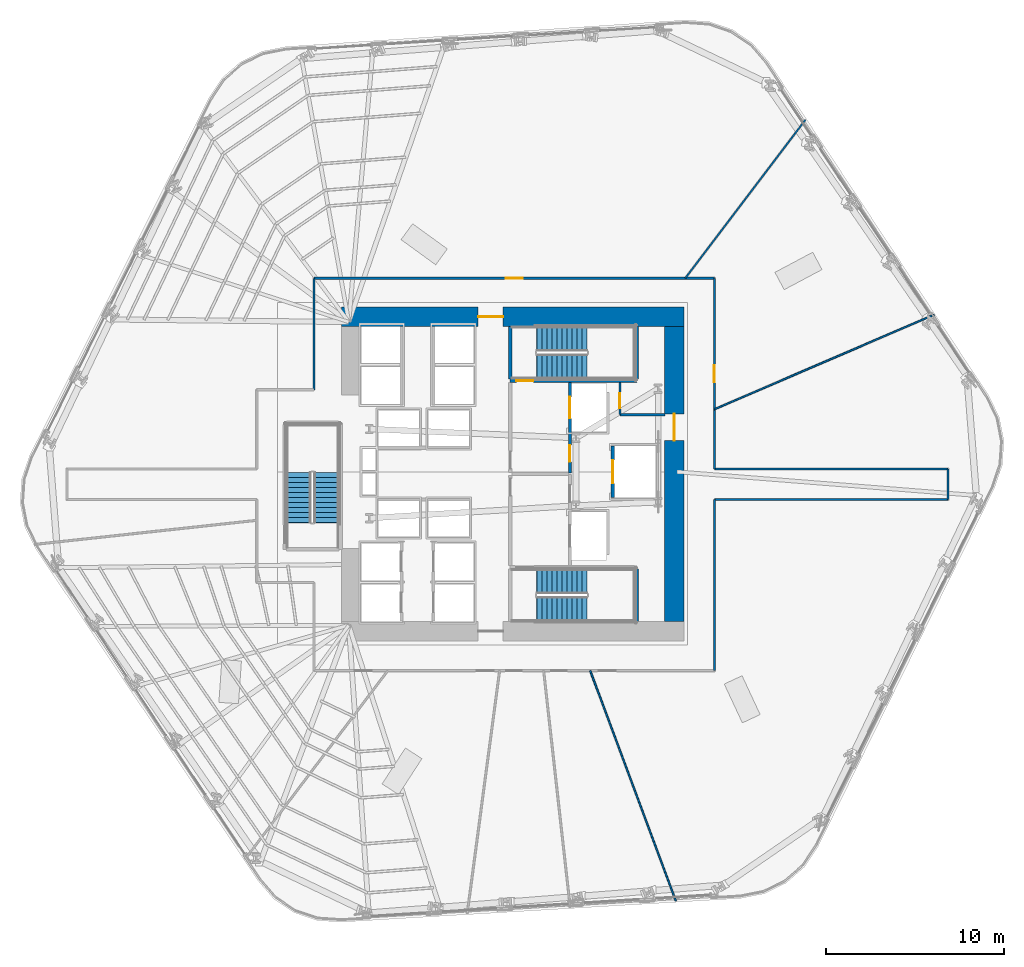
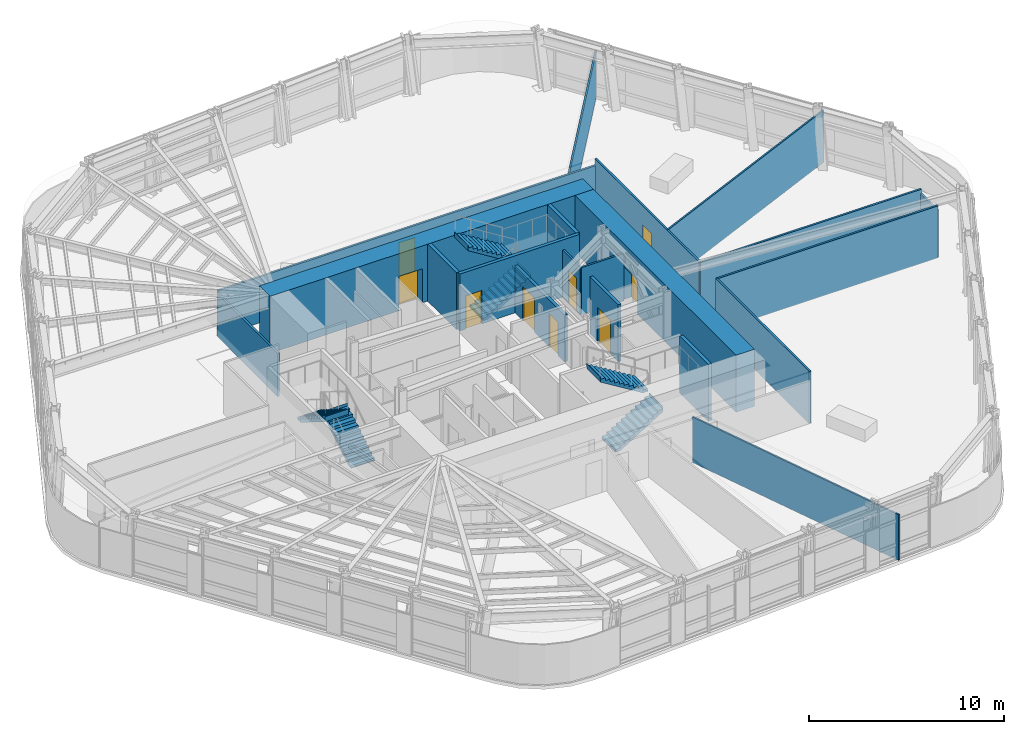
# One storey, part 9 of 15: 20 walls, 9 doors, 6 stair flights, 9 openings, 3 elements without a shape of their own.
"""IFC4 building model written with IfcOpenShell, lengths in metres."""

from ifc_helpers import new_model, si_unit, direction, frame, frame_2d, origin, place, context, subcontext, project, spatial, polyline, rectangle, outline, extrude, material, layer, layer_set, type_object, element, fill, aggregate, save


model = new_model("IFC4")

# Units and contexts
model_context = context("Model", 3, precision=1e-05, world=origin(), true_north=direction((0.0, 1.0)))
body_context = subcontext(model_context, "Body", "Model", "MODEL_VIEW")
ifc_project = project(units=[si_unit("LENGTHUNIT", "METRE"), si_unit("AREAUNIT", "SQUARE_METRE"), si_unit("VOLUMEUNIT", "CUBIC_METRE"), si_unit("PLANEANGLEUNIT", "RADIAN"), si_unit("MASSUNIT", "GRAM", prefix="KILO")], contexts=[model_context])

# Site, building, storey
site_placement = place(None, origin())
site = spatial("IfcSite", under=ifc_project, at=site_placement, CompositionType="ELEMENT")
building_placement = place(site_placement, origin())
building = spatial("IfcBuilding", under=site, at=building_placement, Name="Valkerne Bourse Tower", CompositionType="ELEMENT")
storey_placement = place(building_placement, frame((0.0, 0.0, 39.199951171875)))
storey = spatial("IfcBuildingStorey", under=building, at=storey_placement, Name="L09", CompositionType="ELEMENT", Elevation=39.199951171875)

# Wall, opening, door
ifc_material_1 = material(Name="Concrete C70/85", Category="concrete")
ifc_layer_1 = layer(ifc_material_1, 1.10009765625)
ifc_layer_set_1 = layer_set([ifc_layer_1], Name="Concrete C70/85")
wall_type_1 = type_object("IfcWallType", Name="W-CORE-1100", PredefinedType="SHEAR", material=ifc_layer_set_1)
wall_1_placement = place(storey_placement, frame((37.199951171875, 35.699951171875, 0.0), z_axis=(0.0, 0.0, 1.0), x_axis=(1.0, 0.0, 0.0)))
wall_1 = element("IfcWall", 1, at=wall_1_placement, inside=storey, type_object=wall_type_1, Name="L09 Core Shear Wall NORTH", PredefinedType="SHEAR", context=body_context, shape_type="SweptSolid", body=[
    extrude(rectangle(XDim=19.199951171875, YDim=1.10009765625, at=frame_2d((9.60009765625, 0.0))), origin(), (0.0, 0.0, 1.0), 3.580078125),
])
opening_1_placement = place(wall_1_placement, frame((7.64990234375, 0.0, 0.0)))
opening_1 = element("IfcOpeningElement", 2, at=opening_1_placement, cuts=wall_1, Name="Opening D-PL-1400", PredefinedType="OPENING", context=body_context, shape_type="SweptSolid", body=[
    extrude(rectangle(XDim=1.39990234375, YDim=2.14990234375, at=frame_2d((0.699951171875, 1.074951171875))), frame((0.0, 0.56005859375, 0.0), z_axis=(0.0, -1.0, 0.0), x_axis=(1.0, 0.0, 0.0)), (0.0, 0.0, 1.0), 1.1201171875),
])
ifc_material_2 = material(Name="Galvanised Painted Steel", Category="steel")
door_type_1 = type_object("IfcDoorType", Name="DR-PLT-1400", OperationType="DOUBLE_DOOR_SINGLE_SWING", PredefinedType="DOOR", material=ifc_material_2)
door_1_placement = place(opening_1_placement, origin())
door_1 = element("IfcDoor", 3, at=door_1_placement, inside=storey, type_object=door_type_1, Name="L09 North Passenger Lift Hall Fire Door", OperationType="DOUBLE_DOOR_SINGLE_SWING", OverallHeight=2.14990234375, OverallWidth=1.39990234375, PredefinedType="DOOR", context=body_context, shape_type="SweptSolid", body=[
    extrude(rectangle(XDim=1.39990234375, YDim=2.14990234375, at=frame_2d((0.699951171875, 1.074951171875))), frame((0.0, 0.02490234375, 0.0), z_axis=(0.0, -1.0, 0.0), x_axis=(1.0, 0.0, 0.0)), (0.0, 0.0, 1.0), 0.050048828125),
])
fill(opening_1, door_1)

wall_2_placement = place(storey_placement, frame((55.85009765625, 18.60009765625, 0.0), z_axis=(0.0, 0.0, 1.0), x_axis=(0.0, 1.0, 0.0)))
wall_2 = element("IfcWall", 4, at=wall_2_placement, inside=storey, type_object=wall_type_1, Name="L09 Core Shear Wall EAST", PredefinedType="SHEAR", context=body_context, shape_type="SweptSolid", body=[
    extrude(rectangle(XDim=16.5498046875, YDim=1.10009765625, at=frame_2d((8.27490234375, 0.0))), origin(), (0.0, 0.0, 1.0), 3.580078125),
])
opening_2_placement = place(wall_2_placement, frame((10.14990234375, 0.0, 0.0)))
opening_2 = element("IfcOpeningElement", 5, at=opening_2_placement, cuts=wall_2, Name="Opening D-CR-1500", PredefinedType="OPENING", context=body_context, shape_type="SweptSolid", body=[
    extrude(rectangle(XDim=1.5, YDim=2.14990234375, at=frame_2d((0.75, 1.074951171875))), frame((0.0, 0.56005859375, 0.0), z_axis=(0.0, -1.0, 0.0), x_axis=(1.0, 0.0, 0.0)), (0.0, 0.0, 1.0), 1.1201171875),
])
door_type_2 = type_object("IfcDoorType", Name="DR-CORR-1500", OperationType="DOUBLE_DOOR_SINGLE_SWING", PredefinedType="DOOR", material=ifc_material_2)
door_2_placement = place(opening_2_placement, origin())
door_2 = element("IfcDoor", 6, at=door_2_placement, inside=storey, type_object=door_type_2, Name="L09 East Core Service Lobby Fire Door", OperationType="DOUBLE_DOOR_SINGLE_SWING", OverallHeight=2.14990234375, OverallWidth=1.5, PredefinedType="DOOR", context=body_context, shape_type="SweptSolid", body=[
    extrude(rectangle(XDim=1.5, YDim=2.14990234375, at=frame_2d((0.75, 1.074951171875))), frame((0.0, 0.02490234375, 0.0), z_axis=(0.0, -1.0, 0.0), x_axis=(1.0, 0.0, 0.0)), (0.0, 0.0, 1.0), 0.050048828125),
])
fill(opening_2, door_2)

ifc_material_3 = material(Name="Gypsum Board Steel-Stud Partition", Category="steel")
ifc_layer_2 = layer(ifc_material_3, 0.117919921875)
ifc_layer_set_2 = layer_set([ifc_layer_2], Name="Gypsum Board Steel-Stud Partition")
wall_type_2 = type_object("IfcWallType", Name="W-CORR-140", PredefinedType="PARTITIONING", material=ifc_layer_set_2)
wall_3_placement = place(storey_placement, frame((52.800048828125, 30.199951171875, 0.0), z_axis=(0.0, 0.0, 1.0), x_axis=(0.0, 1.0, 0.0)))
wall_3 = element("IfcWall", 7, at=wall_3_placement, inside=storey, type_object=wall_type_2, Name="L09 Core NE Bay West Wall", PredefinedType="PARTITIONING", context=body_context, shape_type="SweptSolid", body=[
    extrude(rectangle(XDim=1.820068359375, YDim=0.117919921875, at=frame_2d((0.91015625, 0.0))), origin(), (0.0, 0.0, 1.0), 2.9580078125),
])
opening_3_placement = place(wall_3_placement, frame((0.35009765625, 0.0, 0.0)))
opening_3 = element("IfcOpeningElement", 8, at=opening_3_placement, cuts=wall_3, Name="Opening D-WC-900", PredefinedType="OPENING", context=body_context, shape_type="SweptSolid", body=[
    extrude(rectangle(XDim=0.860107421875, YDim=2.050048828125, at=frame_2d((0.43017578125, 1.02490234375))), frame((0.0, 0.06884765625, 0.0), z_axis=(0.0, -1.0, 0.0), x_axis=(1.0, 0.0, 0.0)), (0.0, 0.0, 1.0), 0.137939453125),
])
ifc_material_4 = material(Name="Architectural White Oak Timber", Category="wood")
door_type_3 = type_object("IfcDoorType", Name="DR-WC-900", OperationType="NOTDEFINED", PredefinedType="DOOR", material=ifc_material_4)
door_3_placement = place(opening_3_placement, origin())
door_3 = element("IfcDoor", 9, at=door_3_placement, inside=storey, type_object=door_type_3, Name="L09 Electrical Closet Door", OperationType="SINGLE_SWING_LEFT", OverallHeight=2.050048828125, OverallWidth=0.860107421875, PredefinedType="DOOR", context=body_context, shape_type="SweptSolid", body=[
    extrude(rectangle(XDim=0.860107421875, YDim=2.050048828125, at=frame_2d((0.43017578125, 1.02490234375))), frame((0.0, 0.02490234375, 0.0), z_axis=(0.0, -1.0, 0.0), x_axis=(1.0, 0.0, 0.0)), (0.0, 0.0, 1.0), 0.050048828125),
])
fill(opening_3, door_3)

# Walls
wall_4_placement = place(storey_placement, frame((52.800048828125, 30.199951171875, 0.0), z_axis=(0.0, 0.0, 1.0), x_axis=(1.0, 0.0, 0.0)))
element("IfcWall", 10, at=wall_4_placement, inside=storey, type_object=wall_type_2, Name="L09 Core NE Bay South Wall", PredefinedType="PARTITIONING", context=body_context, shape_type="SweptSolid", body=[
    extrude(rectangle(XDim=2.52001953125, YDim=0.117919921875, at=frame_2d((1.260009765625, 0.0))), origin(), (0.0, 0.0, 1.0), 2.9580078125),
])
wall_5_placement = place(storey_placement, frame((58.10009765625, 27.14990234375, 0.0), z_axis=(0.0, 0.0, 1.0), x_axis=(1.0, 0.0, 0.0)))
element("IfcWall", 11, at=wall_5_placement, inside=storey, type_object=wall_type_2, Name="L09 Corridor Enclosure Wall", PredefinedType="PARTITIONING", context=body_context, shape_type="SweptSolid", body=[
    extrude(rectangle(XDim=13.099853515625, YDim=0.117919921875, at=frame_2d((6.5498046875, 0.0))), origin(), (0.0, 0.0, 1.0), 3.280029296875),
])
wall_6_placement = place(storey_placement, frame((71.199951171875, 27.14990234375, 0.0), z_axis=(0.0, 0.0, 1.0), x_axis=(0.0, -1.0, 0.0)))
element("IfcWall", 12, at=wall_6_placement, inside=storey, type_object=wall_type_2, Name="L09 Corridor Enclosure Wall", PredefinedType="PARTITIONING", context=body_context, shape_type="SweptSolid", body=[
    extrude(rectangle(XDim=1.699951171875, YDim=0.117919921875, at=frame_2d((0.85009765625, 0.0))), origin(), (0.0, 0.0, 1.0), 3.021484375),
])
wall_7_placement = place(storey_placement, frame((71.199951171875, 25.449951171875, 0.0), z_axis=(0.0, 0.0, 1.0), x_axis=(-1.0, 0.0, 0.0)))
element("IfcWall", 13, at=wall_7_placement, inside=storey, type_object=wall_type_2, Name="L09 Corridor Enclosure Wall", PredefinedType="PARTITIONING", context=body_context, shape_type="SweptSolid", body=[
    extrude(rectangle(XDim=13.099853515625, YDim=0.117919921875, at=frame_2d((6.5498046875, 0.0))), origin(), (0.0, 0.0, 1.0), 3.280029296875),
])
wall_8_placement = place(storey_placement, frame((58.10009765625, 25.449951171875, 0.0), z_axis=(0.0, 0.0, 1.0), x_axis=(0.0, -1.0, 0.0)))
element("IfcWall", 14, at=wall_8_placement, inside=storey, type_object=wall_type_2, Name="L09 Corridor Enclosure Wall", PredefinedType="PARTITIONING", context=body_context, shape_type="SweptSolid", body=[
    extrude(rectangle(XDim=9.599853515625, YDim=0.117919921875, at=frame_2d((4.7998046875, 0.0))), origin(), (0.0, 0.0, 1.0), 3.280029296875),
])
wall_9_placement = place(storey_placement, frame((35.64990234375, 31.60009765625, 0.0), z_axis=(0.0, 0.0, 1.0), x_axis=(0.0, 1.0, 0.0)))
element("IfcWall", 15, at=wall_9_placement, inside=storey, type_object=wall_type_2, Name="L09 Corridor Enclosure Wall", PredefinedType="PARTITIONING", context=body_context, shape_type="SweptSolid", body=[
    extrude(rectangle(XDim=6.25, YDim=0.117919921875, at=frame_2d((3.125, 0.0))), origin(), (0.0, 0.0, 1.0), 2.711669921875),
])

# Wall, opening, door
wall_10_placement = place(storey_placement, frame((35.64990234375, 37.85009765625, 0.0), z_axis=(0.0, 0.0, 1.0), x_axis=(1.0, 0.0, 0.0)))
wall_10 = element("IfcWall", 16, at=wall_10_placement, inside=storey, type_object=wall_type_2, Name="L09 Corridor Enclosure Wall", PredefinedType="PARTITIONING", context=body_context, shape_type="SweptSolid", body=[
    extrude(rectangle(XDim=22.4501953125, YDim=0.117919921875, at=frame_2d((11.22509765625, 0.0))), origin(), (0.0, 0.0, 1.0), 2.876708984375),
])
opening_4_placement = place(wall_10_placement, frame((10.75, 0.0, 0.0)))
opening_4 = element("IfcOpeningElement", 17, at=opening_4_placement, cuts=wall_10, Name="Opening D-OF-950", PredefinedType="OPENING", context=body_context, shape_type="SweptSolid", body=[
    extrude(rectangle(XDim=0.949951171875, YDim=2.10009765625, at=frame_2d((0.47509765625, 1.050048828125))), frame((0.0, 0.06884765625, 0.0), z_axis=(0.0, -1.0, 0.0), x_axis=(1.0, 0.0, 0.0)), (0.0, 0.0, 1.0), 0.137939453125),
])
door_type_4 = type_object("IfcDoorType", Name="DR-OFF-950", OperationType="NOTDEFINED", PredefinedType="DOOR", material=ifc_material_4)
door_4_placement = place(opening_4_placement, origin())
door_4 = element("IfcDoor", 18, at=door_4_placement, inside=storey, type_object=door_type_4, Name="L09 L09 Executive Advisory Suite Office 7 Door", OperationType="SINGLE_SWING_RIGHT", OverallHeight=2.10009765625, OverallWidth=0.949951171875, PredefinedType="DOOR", context=body_context, shape_type="SweptSolid", body=[
    extrude(rectangle(XDim=0.949951171875, YDim=2.10009765625, at=frame_2d((0.47509765625, 1.050048828125))), frame((0.0, 0.02490234375, 0.0), z_axis=(0.0, -1.0, 0.0), x_axis=(1.0, 0.0, 0.0)), (0.0, 0.0, 1.0), 0.050048828125),
])
fill(opening_4, door_4)

wall_11_placement = place(storey_placement, frame((58.10009765625, 37.85009765625, 0.0), z_axis=(0.0, 0.0, 1.0), x_axis=(0.0, -1.0, 0.0)))
wall_11 = element("IfcWall", 19, at=wall_11_placement, inside=storey, type_object=wall_type_2, Name="L09 Corridor Enclosure Wall", PredefinedType="PARTITIONING", context=body_context, shape_type="SweptSolid", body=[
    extrude(rectangle(XDim=10.7001953125, YDim=0.117919921875, at=frame_2d((5.35009765625, 0.0))), origin(), (0.0, 0.0, 1.0), 3.280029296875),
])
opening_5_placement = place(wall_11_placement, frame((4.875, 0.0, 0.0)))
opening_5 = element("IfcOpeningElement", 20, at=opening_5_placement, cuts=wall_11, Name="Opening D-OF-950", PredefinedType="OPENING", context=body_context, shape_type="SweptSolid", body=[
    extrude(rectangle(XDim=0.949951171875, YDim=2.10009765625, at=frame_2d((0.47509765625, 1.050048828125))), frame((0.0, 0.06884765625, 0.0), z_axis=(0.0, -1.0, 0.0), x_axis=(1.0, 0.0, 0.0)), (0.0, 0.0, 1.0), 0.137939453125),
])
door_5_placement = place(opening_5_placement, origin())
door_5 = element("IfcDoor", 21, at=door_5_placement, inside=storey, type_object=door_type_4, Name="L09 L09 Member Collaboration Club Salon 3 Door", OperationType="SINGLE_SWING_LEFT", OverallHeight=2.10009765625, OverallWidth=0.949951171875, PredefinedType="DOOR", context=body_context, shape_type="SweptSolid", body=[
    extrude(rectangle(XDim=0.949951171875, YDim=2.10009765625, at=frame_2d((0.47509765625, 1.050048828125))), frame((0.0, 0.02490234375, 0.0), z_axis=(0.0, -1.0, 0.0), x_axis=(1.0, 0.0, 0.0)), (0.0, 0.0, 1.0), 0.050048828125),
])
fill(opening_5, door_5)

# Wall, openings, doors
ifc_material_5 = material(Name="Gypsum Fire-Rated Shaftwall", Category="gypsum")
ifc_layer_3 = layer(ifc_material_5, 0.179931640625)
ifc_layer_set_3 = layer_set([ifc_layer_3], Name="Gypsum Fire-Rated Shaftwall")
wall_type_3 = type_object("IfcWallType", Name="W-FSAE-180", PredefinedType="PARTITIONING", material=ifc_layer_set_3)
wall_12_placement = place(storey_placement, frame((50.0, 26.919921875, 0.0), z_axis=(0.0, 0.0, 1.0), x_axis=(0.0, 1.0, 0.0)))
wall_12 = element("IfcWall", 22, at=wall_12_placement, inside=storey, type_object=wall_type_3, Name="L09 FSAE-2 Lobby & Shaft Front Wall", PredefinedType="PARTITIONING", context=body_context, shape_type="SweptSolid", body=[
    extrude(rectangle(XDim=5.080078125, YDim=0.179931640625, at=frame_2d((2.5400390625, 0.0))), origin(), (0.0, 0.0, 1.0), 2.9580078125),
])
opening_6_placement = place(wall_12_placement, frame((3.080078125, 0.0, 0.0)))
opening_6 = element("IfcOpeningElement", 23, at=opening_6_placement, cuts=wall_12, Name="Opening LD-1200", PredefinedType="OPENING", context=body_context, shape_type="SweptSolid", body=[
    extrude(rectangle(XDim=1.199951171875, YDim=2.14990234375, at=frame_2d((0.60009765625, 1.074951171875))), frame((0.0, 0.099853515625, 0.0), z_axis=(0.0, -1.0, 0.0), x_axis=(1.0, 0.0, 0.0)), (0.0, 0.0, 1.0), 0.199951171875),
])
opening_7_placement = place(wall_12_placement, frame((0.6298828125, 0.0, 0.0)))
opening_7 = element("IfcOpeningElement", 24, at=opening_7_placement, cuts=wall_12, Name="Opening D-FS-950", PredefinedType="OPENING", context=body_context, shape_type="SweptSolid", body=[
    extrude(rectangle(XDim=0.949951171875, YDim=2.10009765625, at=frame_2d((0.47509765625, 1.050048828125))), frame((0.0, 0.099853515625, 0.0), z_axis=(0.0, -1.0, 0.0), x_axis=(1.0, 0.0, 0.0)), (0.0, 0.0, 1.0), 0.199951171875),
])
door_type_5 = type_object("IfcDoorType", Name="DR-FSAE-950", OperationType="NOTDEFINED", PredefinedType="DOOR", material=ifc_material_2)
door_6_placement = place(opening_7_placement, origin())
door_6 = element("IfcDoor", 25, at=door_6_placement, inside=storey, type_object=door_type_5, Name="L09 FSAE-2 Lobby Corridor Fire Door", OperationType="SINGLE_SWING_LEFT", OverallHeight=2.10009765625, OverallWidth=0.949951171875, PredefinedType="DOOR", context=body_context, shape_type="SweptSolid", body=[
    extrude(rectangle(XDim=0.949951171875, YDim=2.10009765625, at=frame_2d((0.47509765625, 1.050048828125))), frame((0.0, 0.02490234375, 0.0), z_axis=(0.0, -1.0, 0.0), x_axis=(1.0, 0.0, 0.0)), (0.0, 0.0, 1.0), 0.050048828125),
])
fill(opening_7, door_6)
ifc_material_6 = material(Name="Stainless Steel AISI 316", Category="steel")
door_type_6 = type_object("IfcDoorType", Name="DR-LIFT-1200", OperationType="DOUBLE_DOOR_SLIDING", PredefinedType="DOOR", material=ifc_material_6)
door_7_placement = place(opening_6_placement, origin())
door_7 = element("IfcDoor", 26, at=door_7_placement, inside=storey, type_object=door_type_6, Name="L09 FSAE-2 Firefighting Lift Landing Door", OperationType="DOUBLE_DOOR_SLIDING", OverallHeight=2.14990234375, OverallWidth=1.199951171875, PredefinedType="DOOR", context=body_context, shape_type="SweptSolid", body=[
    extrude(rectangle(XDim=1.199951171875, YDim=2.14990234375, at=frame_2d((0.60009765625, 1.074951171875))), frame((0.0, 0.02490234375, 0.0), z_axis=(0.0, -1.0, 0.0), x_axis=(1.0, 0.0, 0.0)), (0.0, 0.0, 1.0), 0.050048828125),
])
fill(opening_6, door_7)

# Wall, opening, door
ifc_material_7 = material(Name="CMU Blockwork Masonry 200mm", Category="masonry")
ifc_layer_4 = layer(ifc_material_7, 0.179931640625)
ifc_layer_set_4 = layer_set([ifc_layer_4], Name="CMU Blockwork Masonry 200mm")
wall_type_4 = type_object("IfcWallType", Name="W-LFT-180", PredefinedType="SOLIDWALL", material=ifc_layer_set_4)
wall_13_placement = place(storey_placement, frame((52.39990234375, 25.550048828125, 0.0), z_axis=(0.0, 0.0, 1.0), x_axis=(0.0, 1.0, 0.0)))
wall_13 = element("IfcWall", 27, at=wall_13_placement, inside=storey, type_object=wall_type_4, Name="L09 Service Lift SV-1 Front Wall", PredefinedType="SOLIDWALL", context=body_context, shape_type="SweptSolid", body=[
    extrude(rectangle(XDim=2.89990234375, YDim=0.179931640625, at=frame_2d((1.449951171875, 0.0))), origin(), (0.0, 0.0, 1.0), 3.580078125),
])
opening_8_placement = place(wall_13_placement, frame((0.800048828125, 0.0, 0.0)))
opening_8 = element("IfcOpeningElement", 28, at=opening_8_placement, cuts=wall_13, Name="Opening LD-1300", PredefinedType="OPENING", context=body_context, shape_type="SweptSolid", body=[
    extrude(rectangle(XDim=1.300048828125, YDim=2.14990234375, at=frame_2d((0.64990234375, 1.074951171875))), frame((0.0, 0.099853515625, 0.0), z_axis=(0.0, -1.0, 0.0), x_axis=(1.0, 0.0, 0.0)), (0.0, 0.0, 1.0), 0.199951171875),
])
door_type_7 = type_object("IfcDoorType", Name="DR-LIFT-1300", OperationType="DOUBLE_DOOR_SLIDING", PredefinedType="DOOR", material=ifc_material_6)
door_8_placement = place(opening_8_placement, origin())
door_8 = element("IfcDoor", 29, at=door_8_placement, inside=storey, type_object=door_type_7, Name="L09 Service Lift SV-1 Landing Door", OperationType="DOUBLE_DOOR_SLIDING", OverallHeight=2.14990234375, OverallWidth=1.300048828125, PredefinedType="DOOR", context=body_context, shape_type="SweptSolid", body=[
    extrude(rectangle(XDim=1.300048828125, YDim=2.14990234375, at=frame_2d((0.64990234375, 1.074951171875))), frame((0.0, 0.02490234375, 0.0), z_axis=(0.0, -1.0, 0.0), x_axis=(1.0, 0.0, 0.0)), (0.0, 0.0, 1.0), 0.050048828125),
])
fill(opening_8, door_8)

# Walls
ifc_layer_5 = layer(ifc_material_3, 0.092041015625)
ifc_layer_set_5 = layer_set([ifc_layer_5], Name="Gypsum Board Steel-Stud Partition")
wall_type_5 = type_object("IfcWallType", Name="W-PART-115", PredefinedType="PARTITIONING", material=ifc_layer_set_5)
wall_14_placement = place(storey_placement, frame((51.139404296875, 15.844970703125, 0.0), z_axis=(0.0, 0.0, 1.0), x_axis=(0.34857585876, -0.937280572022, 0.0)))
element("IfcWall", 30, at=wall_14_placement, inside=storey, type_object=wall_type_5, Name="L09 Suite Partition P03", PredefinedType="PARTITIONING", context=body_context, shape_type="SweptSolid", body=[
    extrude(rectangle(XDim=13.775390625, YDim=0.092041015625, at=frame_2d((6.8876953125, 0.0))), origin(), (0.0, 0.0, 1.0), 2.864013671875),
])
wall_15_placement = place(storey_placement, frame((58.10498046875, 30.506591796875, 0.0), z_axis=(0.0, 0.0, 1.0), x_axis=(0.9185571216, 0.395288267418, 0.0)))
element("IfcWall", 31, at=wall_15_placement, inside=storey, type_object=wall_type_5, Name="L09 Suite Partition P04", PredefinedType="PARTITIONING", context=body_context, shape_type="SweptSolid", body=[
    extrude(rectangle(XDim=13.405029296875, YDim=0.092041015625, at=frame_2d((6.70263671875, 0.0))), origin(), (0.0, 0.0, 1.0), 3.280029296875),
])
wall_16_placement = place(storey_placement, frame((56.468994140625, 37.85498046875, 0.0), z_axis=(0.0, 0.0, 1.0), x_axis=(0.604372587061, 0.796701811225, 0.0)))
element("IfcWall", 32, at=wall_16_placement, inside=storey, type_object=wall_type_5, Name="L09 Suite Partition P05", PredefinedType="PARTITIONING", context=body_context, shape_type="SweptSolid", body=[
    extrude(rectangle(XDim=11.15283203125, YDim=0.092041015625, at=frame_2d((5.576416015625, 0.0))), origin(), (0.0, 0.0, 1.0), 2.864013671875),
])
ifc_material_8 = material(Name="Concrete C40/50", Category="concrete")
ifc_layer_6 = layer(ifc_material_8, 0.199951171875)
ifc_layer_set_6 = layer_set([ifc_layer_6], Name="Concrete C40/50")
wall_type_6 = type_object("IfcWallType", Name="W-SHF-200", PredefinedType="SHEAR", material=ifc_layer_set_6)
wall_17_placement = place(storey_placement, frame((53.75, 18.60009765625, 0.0), z_axis=(0.0, 0.0, 1.0), x_axis=(0.0, 1.0, 0.0)))
element("IfcWall", 33, at=wall_17_placement, inside=storey, type_object=wall_type_6, Name="L09 Exit Stair ST-1 Structural Shaft Wall East", PredefinedType="SHEAR", context=body_context, shape_type="SweptSolid", body=[
    extrude(rectangle(XDim=2.949951171875, YDim=0.199951171875, at=frame_2d((1.47509765625, 0.0))), origin(), (0.0, 0.0, 1.0), 3.580078125),
])

# Wall, opening, door
wall_18_placement = place(storey_placement, frame((46.64990234375, 32.10009765625, 0.0), z_axis=(0.0, 0.0, 1.0), x_axis=(1.0, 0.0, 0.0)))
wall_18 = element("IfcWall", 34, at=wall_18_placement, inside=storey, type_object=wall_type_6, Name="L09 Exit Stair ST-2 Structural Shaft Wall South", PredefinedType="SHEAR", context=body_context, shape_type="SweptSolid", body=[
    extrude(rectangle(XDim=7.10009765625, YDim=0.199951171875, at=frame_2d((3.550048828125, 0.0))), origin(), (0.0, 0.0, 1.0), 3.580078125),
])
opening_9_placement = place(wall_18_placement, frame((0.35009765625, 0.0, 0.0)))
opening_9 = element("IfcOpeningElement", 35, at=opening_9_placement, cuts=wall_18, Name="Opening D-ST-950", PredefinedType="OPENING", context=body_context, shape_type="SweptSolid", body=[
    extrude(rectangle(XDim=0.949951171875, YDim=2.10009765625, at=frame_2d((0.47509765625, 1.050048828125))), frame((0.0, 0.10986328125, 0.0), z_axis=(0.0, -1.0, 0.0), x_axis=(1.0, 0.0, 0.0)), (0.0, 0.0, 1.0), 0.219970703125),
])
door_type_8 = type_object("IfcDoorType", Name="DR-STAIR-950", OperationType="NOTDEFINED", PredefinedType="DOOR", material=ifc_material_2)
door_9_placement = place(opening_9_placement, origin())
door_9 = element("IfcDoor", 36, at=door_9_placement, inside=storey, type_object=door_type_8, Name="L09 Exit Stair ST-2 Door", OperationType="SINGLE_SWING_RIGHT", OverallHeight=2.10009765625, OverallWidth=0.949951171875, PredefinedType="DOOR", context=body_context, shape_type="SweptSolid", body=[
    extrude(rectangle(XDim=0.949951171875, YDim=2.10009765625, at=frame_2d((0.47509765625, 1.050048828125))), frame((0.0, 0.02490234375, 0.0), z_axis=(0.0, -1.0, 0.0), x_axis=(1.0, 0.0, 0.0)), (0.0, 0.0, 1.0), 0.050048828125),
])
fill(opening_9, door_9)

# Walls
for number, where, z_axis, x_axis, name in (
    (37, (46.64990234375, 32.199951171875, 0.0), (0.0, 0.0, 1.0), (0.0, 1.0, 0.0), "L09 Exit Stair ST-2 Structural Shaft Wall West"),
    (38, (53.75, 32.199951171875, 0.0), (0.0, 0.0, 1.0), (0.0, 1.0, 0.0), "L09 Exit Stair ST-2 Structural Shaft Wall East"),
):
    element("IfcWall", number, at=place(storey_placement, frame(where, z_axis=z_axis, x_axis=x_axis)), inside=storey, type_object=wall_type_6, Name=name, PredefinedType="SHEAR", context=body_context, shape_type="SweptSolid", body=[
        extrude(rectangle(XDim=2.949951171875, YDim=0.199951171875, at=frame_2d((1.47509765625, 0.0))), origin(), (0.0, 0.0, 1.0), 3.580078125),
    ])

# Stair, stair flights
stair_type = type_object("IfcStairType", Name="ST-CORE-1400", PredefinedType="HALF_TURN_STAIR", material=ifc_material_8)
stair_1_placement = place(storey_placement, origin())
stair_1 = element("IfcStair", 39, at=stair_1_placement, inside=storey, type_object=stair_type, Name="L09 ST-1", PredefinedType="HALF_TURN_STAIR")
stair_flight_type = type_object("IfcStairFlightType", Name="STF-CORE-1400", PredefinedType="STRAIGHT", material=ifc_material_8)
stair_flight_1_placement = place(storey_placement, frame((48.14990234375, 19.300048828125, 0.0), z_axis=(0.0, 0.0, 1.0), x_axis=(1.0, 0.0, 0.0)))
stair_flight_1 = element("IfcStairFlight", 40, at=stair_flight_1_placement, type_object=stair_flight_type, Name="ST-1 flight 1", NumberOfRisers=11, NumberOfTreads=10, PredefinedType="STRAIGHT", RiserHeight=0.172727273, TreadLength=0.28, context=body_context, shape_type="SweptSolid", body=[
    extrude(outline(polyline([(-0.02001953125, 0.0), (-0.02001953125, 0.044921875), (0.0, 0.044921875), (0.0, 0.172607421875), (0.280029296875, 0.172607421875), (0.280029296875, 0.345458984375), (0.56005859375, 0.345458984375), (0.56005859375, 0.51806640625), (0.840087890625, 0.51806640625), (0.840087890625, 0.69091796875), (1.1201171875, 0.69091796875), (1.1201171875, 0.863525390625), (1.39990234375, 0.863525390625), (1.39990234375, 1.036376953125), (1.679931640625, 1.036376953125), (1.679931640625, 1.208984375), (1.9599609375, 1.208984375), (1.9599609375, 1.3818359375), (2.239990234375, 1.3818359375), (2.239990234375, 1.554443359375), (2.52001953125, 1.554443359375), (2.52001953125, 1.727294921875), (2.800048828125, 1.727294921875), (2.800048828125, 1.89990234375), (2.820068359375, 1.89990234375), (2.820068359375, 1.780029296875), (2.800048828125, 1.551025390625), (0.285400390625, 0.0), (-0.02001953125, 0.0)])), frame((0.0, 0.699951171875, 0.0), z_axis=(0.0, -1.0, 0.0), x_axis=(1.0, 0.0, 0.0)), (0.0, 0.0, 1.0), 1.39990234375),
])
stair_flight_2_placement = place(storey_placement, frame((50.949951171875, 20.85009765625, 1.900146484375), z_axis=(0.0, 0.0, 1.0), x_axis=(-1.0, 0.0, 0.0)))
stair_flight_2 = element("IfcStairFlight", 41, at=stair_flight_2_placement, type_object=stair_flight_type, Name="ST-1 flight 2", NumberOfRisers=11, NumberOfTreads=10, PredefinedType="STRAIGHT", RiserHeight=0.172727273, TreadLength=0.28, context=body_context, shape_type="SweptSolid", body=[
    extrude(outline(polyline([(-0.02001953125, 0.0), (-0.02001953125, 0.044921875), (0.0, 0.044921875), (0.0, 0.172607421875), (0.280029296875, 0.172607421875), (0.280029296875, 0.345458984375), (0.56005859375, 0.345458984375), (0.56005859375, 0.51806640625), (0.840087890625, 0.51806640625), (0.840087890625, 0.69091796875), (1.1201171875, 0.69091796875), (1.1201171875, 0.863525390625), (1.39990234375, 0.863525390625), (1.39990234375, 1.036376953125), (1.679931640625, 1.036376953125), (1.679931640625, 1.208984375), (1.9599609375, 1.208984375), (1.9599609375, 1.3818359375), (2.239990234375, 1.3818359375), (2.239990234375, 1.554443359375), (2.52001953125, 1.554443359375), (2.52001953125, 1.727294921875), (2.800048828125, 1.727294921875), (2.800048828125, 1.89990234375), (2.820068359375, 1.89990234375), (2.820068359375, 1.780029296875), (2.800048828125, 1.551025390625), (0.285400390625, 0.0), (-0.02001953125, 0.0)])), frame((0.0, 0.699951171875, 0.0), z_axis=(0.0, -1.0, 0.0), x_axis=(1.0, 0.0, 0.0)), (0.0, 0.0, 1.0), 1.39990234375),
])
aggregate(stair_1, [stair_flight_1, stair_flight_2])

stair_2_placement = place(storey_placement, origin())
stair_2 = element("IfcStair", 42, at=stair_2_placement, inside=storey, type_object=stair_type, Name="L09 ST-2", PredefinedType="HALF_TURN_STAIR")
stair_flight_3_placement = place(storey_placement, frame((48.14990234375, 32.89990234375, 0.0), z_axis=(0.0, 0.0, 1.0), x_axis=(1.0, 0.0, 0.0)))
stair_flight_3 = element("IfcStairFlight", 43, at=stair_flight_3_placement, type_object=stair_flight_type, Name="ST-2 flight 1", NumberOfRisers=11, NumberOfTreads=10, PredefinedType="STRAIGHT", RiserHeight=0.172727273, TreadLength=0.28, context=body_context, shape_type="SweptSolid", body=[
    extrude(outline(polyline([(-0.02001953125, 0.0), (-0.02001953125, 0.044921875), (0.0, 0.044921875), (0.0, 0.172607421875), (0.280029296875, 0.172607421875), (0.280029296875, 0.345458984375), (0.56005859375, 0.345458984375), (0.56005859375, 0.51806640625), (0.840087890625, 0.51806640625), (0.840087890625, 0.69091796875), (1.1201171875, 0.69091796875), (1.1201171875, 0.863525390625), (1.39990234375, 0.863525390625), (1.39990234375, 1.036376953125), (1.679931640625, 1.036376953125), (1.679931640625, 1.208984375), (1.9599609375, 1.208984375), (1.9599609375, 1.3818359375), (2.239990234375, 1.3818359375), (2.239990234375, 1.554443359375), (2.52001953125, 1.554443359375), (2.52001953125, 1.727294921875), (2.800048828125, 1.727294921875), (2.800048828125, 1.89990234375), (2.820068359375, 1.89990234375), (2.820068359375, 1.780029296875), (2.800048828125, 1.551025390625), (0.285400390625, 0.0), (-0.02001953125, 0.0)])), frame((0.0, 0.699951171875, 0.0), z_axis=(0.0, -1.0, 0.0), x_axis=(1.0, 0.0, 0.0)), (0.0, 0.0, 1.0), 1.39990234375),
])
stair_flight_4_placement = place(storey_placement, frame((50.949951171875, 34.449951171875, 1.900146484375), z_axis=(0.0, 0.0, 1.0), x_axis=(-1.0, 0.0, 0.0)))
stair_flight_4 = element("IfcStairFlight", 44, at=stair_flight_4_placement, type_object=stair_flight_type, Name="ST-2 flight 2", NumberOfRisers=11, NumberOfTreads=10, PredefinedType="STRAIGHT", RiserHeight=0.172727273, TreadLength=0.28, context=body_context, shape_type="SweptSolid", body=[
    extrude(outline(polyline([(-0.02001953125, 0.0), (-0.02001953125, 0.044921875), (0.0, 0.044921875), (0.0, 0.172607421875), (0.280029296875, 0.172607421875), (0.280029296875, 0.345458984375), (0.56005859375, 0.345458984375), (0.56005859375, 0.51806640625), (0.840087890625, 0.51806640625), (0.840087890625, 0.69091796875), (1.1201171875, 0.69091796875), (1.1201171875, 0.863525390625), (1.39990234375, 0.863525390625), (1.39990234375, 1.036376953125), (1.679931640625, 1.036376953125), (1.679931640625, 1.208984375), (1.9599609375, 1.208984375), (1.9599609375, 1.3818359375), (2.239990234375, 1.3818359375), (2.239990234375, 1.554443359375), (2.52001953125, 1.554443359375), (2.52001953125, 1.727294921875), (2.800048828125, 1.727294921875), (2.800048828125, 1.89990234375), (2.820068359375, 1.89990234375), (2.820068359375, 1.780029296875), (2.800048828125, 1.551025390625), (0.285400390625, 0.0), (-0.02001953125, 0.0)])), frame((0.0, 0.699951171875, 0.0), z_axis=(0.0, -1.0, 0.0), x_axis=(1.0, 0.0, 0.0)), (0.0, 0.0, 1.0), 1.39990234375),
])
aggregate(stair_2, [stair_flight_3, stair_flight_4])

stair_3_placement = place(storey_placement, origin())
stair_3 = element("IfcStair", 45, at=stair_3_placement, inside=storey, type_object=stair_type, Name="L09 ST-3", PredefinedType="HALF_TURN_STAIR")
stair_flight_5_placement = place(storey_placement, frame((36.35009765625, 24.14990234375, 0.0), z_axis=(0.0, 0.0, 1.0), x_axis=(0.0, 1.0, 0.0)))
stair_flight_5 = element("IfcStairFlight", 46, at=stair_flight_5_placement, type_object=stair_flight_type, Name="ST-3 flight 1", NumberOfRisers=11, NumberOfTreads=10, PredefinedType="STRAIGHT", RiserHeight=0.172727273, TreadLength=0.28, context=body_context, shape_type="SweptSolid", body=[
    extrude(outline(polyline([(-0.02001953125, 0.0), (-0.02001953125, 0.044921875), (0.0, 0.044921875), (0.0, 0.172607421875), (0.280029296875, 0.172607421875), (0.280029296875, 0.345458984375), (0.56005859375, 0.345458984375), (0.56005859375, 0.51806640625), (0.840087890625, 0.51806640625), (0.840087890625, 0.69091796875), (1.1201171875, 0.69091796875), (1.1201171875, 0.863525390625), (1.39990234375, 0.863525390625), (1.39990234375, 1.036376953125), (1.679931640625, 1.036376953125), (1.679931640625, 1.208984375), (1.9599609375, 1.208984375), (1.9599609375, 1.3818359375), (2.239990234375, 1.3818359375), (2.239990234375, 1.554443359375), (2.52001953125, 1.554443359375), (2.52001953125, 1.727294921875), (2.800048828125, 1.727294921875), (2.800048828125, 1.89990234375), (2.820068359375, 1.89990234375), (2.820068359375, 1.780029296875), (2.800048828125, 1.551025390625), (0.285400390625, 0.0), (-0.02001953125, 0.0)])), frame((0.0, 0.699951171875, 0.0), z_axis=(0.0, -1.0, 0.0), x_axis=(1.0, 0.0, 0.0)), (0.0, 0.0, 1.0), 1.39990234375),
])
stair_flight_6_placement = place(storey_placement, frame((34.800048828125, 26.949951171875, 1.900146484375), z_axis=(0.0, 0.0, 1.0), x_axis=(0.0, -1.0, 0.0)))
stair_flight_6 = element("IfcStairFlight", 47, at=stair_flight_6_placement, type_object=stair_flight_type, Name="ST-3 flight 2", NumberOfRisers=11, NumberOfTreads=10, PredefinedType="STRAIGHT", RiserHeight=0.172727273, TreadLength=0.28, context=body_context, shape_type="SweptSolid", body=[
    extrude(outline(polyline([(-0.02001953125, 0.0), (-0.02001953125, 0.044921875), (0.0, 0.044921875), (0.0, 0.172607421875), (0.280029296875, 0.172607421875), (0.280029296875, 0.345458984375), (0.56005859375, 0.345458984375), (0.56005859375, 0.51806640625), (0.840087890625, 0.51806640625), (0.840087890625, 0.69091796875), (1.1201171875, 0.69091796875), (1.1201171875, 0.863525390625), (1.39990234375, 0.863525390625), (1.39990234375, 1.036376953125), (1.679931640625, 1.036376953125), (1.679931640625, 1.208984375), (1.9599609375, 1.208984375), (1.9599609375, 1.3818359375), (2.239990234375, 1.3818359375), (2.239990234375, 1.554443359375), (2.52001953125, 1.554443359375), (2.52001953125, 1.727294921875), (2.800048828125, 1.727294921875), (2.800048828125, 1.89990234375), (2.820068359375, 1.89990234375), (2.820068359375, 1.780029296875), (2.800048828125, 1.551025390625), (0.285400390625, 0.0), (-0.02001953125, 0.0)])), frame((0.0, 0.699951171875, 0.0), z_axis=(0.0, -1.0, 0.0), x_axis=(1.0, 0.0, 0.0)), (0.0, 0.0, 1.0), 1.39990234375),
])
aggregate(stair_3, [stair_flight_5, stair_flight_6])

save(model, "model.ifc")
